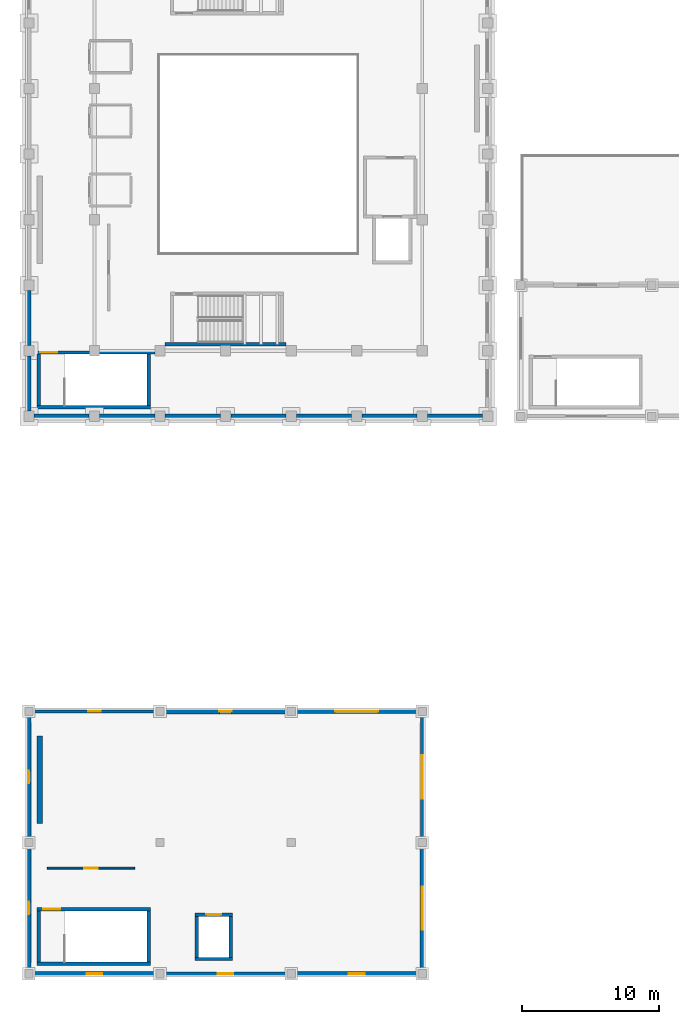
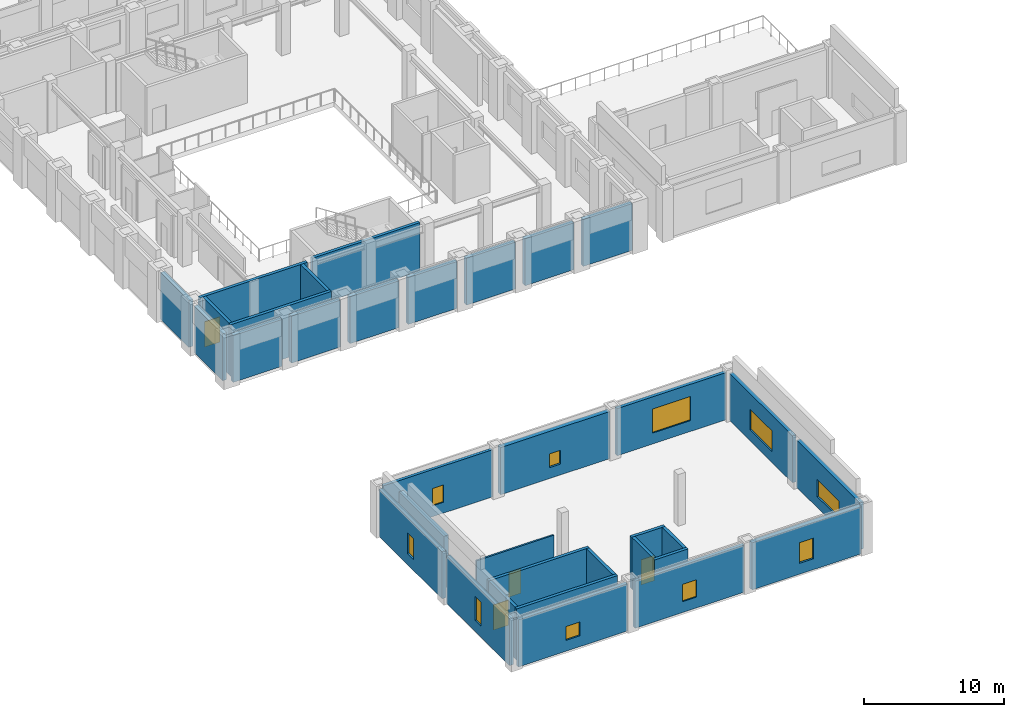
# One storey, part 26 of 46: 34 walls, 10 windows, 4 doors, 14 openings.
"""IFC4 building model written with IfcOpenShell, lengths in metres."""

from ifc_helpers import new_model, si_unit, direction, frame, frame_2d, origin, place, context, subcontext, project, spatial, rectangle, extrude, material, layer, layer_set, type_object, element, fill, save


model = new_model("IFC4")

# Units and contexts
model_context = context("Model", 3, precision=1e-05, world=origin(), true_north=direction((0.0, 1.0)))
body_context = subcontext(model_context, "Body", "Model", "MODEL_VIEW")
ifc_project = project(units=[si_unit("LENGTHUNIT", "METRE"), si_unit("AREAUNIT", "SQUARE_METRE"), si_unit("VOLUMEUNIT", "CUBIC_METRE"), si_unit("PLANEANGLEUNIT", "RADIAN"), si_unit("MASSUNIT", "GRAM", prefix="KILO")], contexts=[model_context])

# Site, building, storey
site_placement = place(None, origin())
site = spatial("IfcSite", under=ifc_project, at=site_placement, CompositionType="ELEMENT")
building_placement = place(site_placement, origin())
building = spatial("IfcBuilding", under=site, at=building_placement, Name="Mavantir Sound Aquarium", CompositionType="ELEMENT")
storey_placement = place(building_placement, frame((0.0, 0.0, 15.300048828125)))
storey = spatial("IfcBuildingStorey", under=building, at=storey_placement, Name="L03", CompositionType="ELEMENT", Elevation=15.300048828125)

# Wall, opening, window
ifc_material_1 = material(Name="Coral-Buff Architectural Precast Concrete C40/50", Category="concrete")
ifc_layer_1 = layer(ifc_material_1, 0.31005859375, Name="Coral-Buff Architectural Precast Concrete C40/50")
ifc_layer_set_1 = layer_set([ifc_layer_1], Name="Coral-Buff Architectural Precast Concrete C40/50")
wall_type_1 = type_object("IfcWallType", Name="EW-CORAL-310", PredefinedType="SOLIDWALL", material=ifc_layer_set_1)
wall_1_placement = place(storey_placement, frame((28.800048828125, 0.30810546875, 0.0), z_axis=(0.0, 0.0, 1.0), x_axis=(0.0, 1.0, 0.0)))
wall_1 = element("IfcWall", 1, at=wall_1_placement, inside=storey, type_object=wall_type_1, Name="L03 exterior facade wall EW-02 338", PredefinedType="SOLIDWALL", context=body_context, shape_type="SweptSolid", body=[
    extrude(rectangle(XDim=8.98388671875, YDim=0.31005859375, at=frame_2d((4.491943359375, 0.0))), origin(), (0.0, 0.0, 1.0), 4.1025390625),
])
opening_1_placement = place(wall_1_placement, frame((2.9169921875, 0.0, 0.949951171875)))
opening_1 = element("IfcOpeningElement", 2, at=opening_1_placement, cuts=wall_1, Name="Opening W-46", PredefinedType="OPENING", context=body_context, shape_type="SweptSolid", body=[
    extrude(rectangle(XDim=3.14990234375, YDim=1.5, at=frame_2d((1.574951171875, 0.75))), frame((0.0, 0.1650390625, 0.0), z_axis=(0.0, -1.0, 0.0), x_axis=(1.0, 0.0, 0.0)), (0.0, 0.0, 1.0), 0.330078125),
])
ifc_material_2 = material(Name="Thermally Broken Aluminium and Low-E Glass", Category="aluminium")
window_type_1 = type_object("IfcWindowType", Name="WIN-EXT-46", PartitioningType="TRIPLE_PANEL_VERTICAL", PredefinedType="WINDOW", material=ifc_material_2)
window_1_placement = place(opening_1_placement, origin())
window_1 = element("IfcWindow", 3, at=window_1_placement, inside=storey, type_object=window_type_1, Name="L03 facade window W-46 142", OverallHeight=1.5, OverallWidth=3.14990234375, PartitioningType="SINGLE_PANEL", PredefinedType="WINDOW", context=body_context, shape_type="SweptSolid", body=[
    extrude(rectangle(XDim=3.14990234375, YDim=1.5, at=frame_2d((1.574951171875, 0.75))), frame((0.0, 0.030029296875, 0.0), z_axis=(0.0, -1.0, 0.0), x_axis=(1.0, 0.0, 0.0)), (0.0, 0.0, 1.0), 0.06005859375),
])
fill(opening_1, window_1)

wall_2_placement = place(storey_placement, frame((0.0, 9.2919921875, 0.0), z_axis=(0.0, 0.0, 1.0), x_axis=(0.0, -1.0, 0.0)))
wall_2 = element("IfcWall", 4, at=wall_2_placement, inside=storey, type_object=wall_type_1, Name="L03 exterior facade wall EW-02 344", PredefinedType="SOLIDWALL", context=body_context, shape_type="SweptSolid", body=[
    extrude(rectangle(XDim=8.98388671875, YDim=0.31005859375, at=frame_2d((4.491943359375, 0.0))), origin(), (0.0, 0.0, 1.0), 4.1025390625),
])
opening_2_placement = place(wall_2_placement, frame((4.0419921875, 0.0, 0.949951171875)))
opening_2 = element("IfcOpeningElement", 5, at=opening_2_placement, cuts=wall_2, Name="Opening W-04", PredefinedType="OPENING", context=body_context, shape_type="SweptSolid", body=[
    extrude(rectangle(XDim=0.89990234375, YDim=2.10009765625, at=frame_2d((0.449951171875, 1.050048828125))), frame((0.0, 0.1650390625, 0.0), z_axis=(0.0, -1.0, 0.0), x_axis=(1.0, 0.0, 0.0)), (0.0, 0.0, 1.0), 0.330078125),
])
window_type_2 = type_object("IfcWindowType", Name="WIN-EXT-04", PartitioningType="SINGLE_PANEL", PredefinedType="WINDOW", material=ifc_material_2)
window_2_placement = place(opening_2_placement, origin())
window_2 = element("IfcWindow", 6, at=window_2_placement, inside=storey, type_object=window_type_2, Name="L03 facade window W-04 148", OverallHeight=2.10009765625, OverallWidth=0.89990234375, PartitioningType="SINGLE_PANEL", PredefinedType="WINDOW", context=body_context, shape_type="SweptSolid", body=[
    extrude(rectangle(XDim=0.89990234375, YDim=2.10009765625, at=frame_2d((0.449951171875, 1.050048828125))), frame((0.0, 0.030029296875, 0.0), z_axis=(0.0, -1.0, 0.0), x_axis=(1.0, 0.0, 0.0)), (0.0, 0.0, 1.0), 0.06005859375),
])
fill(opening_2, window_2)

# Walls
ifc_layer_2 = layer(ifc_material_1, 0.340087890625, Name="Coral-Buff Architectural Precast Concrete C40/50")
ifc_layer_set_2 = layer_set([ifc_layer_2], Name="Coral-Buff Architectural Precast Concrete C40/50")
wall_type_2 = type_object("IfcWallType", Name="EW-CORAL-340", PredefinedType="SOLIDWALL", material=ifc_layer_set_2)
wall_3_placement = place(storey_placement, frame((0.0, 50.01708984375, 0.0), z_axis=(0.0, 0.0, 1.0), x_axis=(0.0, -1.0, 0.0)))
element("IfcWall", 7, at=wall_3_placement, inside=storey, type_object=wall_type_2, Name="L03 exterior facade wall EW-01 322", PredefinedType="SOLIDWALL", context=body_context, shape_type="SweptSolid", body=[
    extrude(rectangle(XDim=4.0341796875, YDim=0.340087890625, at=frame_2d((2.01708984375, 0.0))), origin(), (0.0, 0.0, 1.0), 4.074951171875),
])
for number, where, z_axis, x_axis, name in (
    (8, (0.0, 45.217041015625, 0.0), (0.0, 0.0, 1.0), (0.0, -1.0, 0.0), "L03 exterior facade wall EW-01 323"),
    (9, (0.383056640625, 40.800048828125, 0.0), (0.0, 0.0, 1.0), (1.0, 0.0, 0.0), "L03 exterior facade wall EW-01 324"),
    (10, (5.18310546875, 40.800048828125, 0.0), (0.0, 0.0, 1.0), (1.0, 0.0, 0.0), "L03 exterior facade wall EW-01 325"),
):
    element("IfcWall", number, at=place(storey_placement, frame(where, z_axis=z_axis, x_axis=x_axis)), inside=storey, type_object=wall_type_2, Name=name, PredefinedType="SOLIDWALL", context=body_context, shape_type="SweptSolid", body=[
        extrude(rectangle(XDim=4.033935546875, YDim=0.340087890625, at=frame_2d((2.01708984375, 0.0))), origin(), (0.0, 0.0, 1.0), 4.074951171875),
    ])
wall_4_placement = place(storey_placement, frame((9.98291015625, 40.800048828125, 0.0), z_axis=(0.0, 0.0, 1.0), x_axis=(1.0, 0.0, 0.0)))
element("IfcWall", 11, at=wall_4_placement, inside=storey, type_object=wall_type_2, Name="L03 exterior facade wall EW-01 326", PredefinedType="SOLIDWALL", context=body_context, shape_type="SweptSolid", body=[
    extrude(rectangle(XDim=4.0341796875, YDim=0.340087890625, at=frame_2d((2.01708984375, 0.0))), origin(), (0.0, 0.0, 1.0), 4.074951171875),
])
for number, where, z_axis, x_axis, name in (
    (12, (14.782958984375, 40.800048828125, 0.0), (0.0, 0.0, 1.0), (1.0, 0.0, 0.0), "L03 exterior facade wall EW-01 327"),
    (13, (19.5830078125, 40.800048828125, 0.0), (0.0, 0.0, 1.0), (1.0, 0.0, 0.0), "L03 exterior facade wall EW-01 328"),
    (14, (24.383056640625, 40.800048828125, 0.0), (0.0, 0.0, 1.0), (1.0, 0.0, 0.0), "L03 exterior facade wall EW-01 329"),
    (15, (29.18310546875, 40.800048828125, 0.0), (0.0, 0.0, 1.0), (1.0, 0.0, 0.0), "L03 exterior facade wall EW-01 330"),
):
    element("IfcWall", number, at=place(storey_placement, frame(where, z_axis=z_axis, x_axis=x_axis)), inside=storey, type_object=wall_type_2, Name=name, PredefinedType="SOLIDWALL", context=body_context, shape_type="SweptSolid", body=[
        extrude(rectangle(XDim=4.033935546875, YDim=0.340087890625, at=frame_2d((2.01708984375, 0.0))), origin(), (0.0, 0.0, 1.0), 4.074951171875),
    ])

# Wall, opening, window
wall_5_placement = place(storey_placement, frame((0.0, 18.89208984375, 0.0), z_axis=(0.0, 0.0, 1.0), x_axis=(0.0, -1.0, 0.0)))
wall_5 = element("IfcWall", 16, at=wall_5_placement, inside=storey, type_object=wall_type_2, Name="L03 exterior facade wall EW-01 343", PredefinedType="SOLIDWALL", context=body_context, shape_type="SweptSolid", body=[
    extrude(rectangle(XDim=8.984130859375, YDim=0.340087890625, at=frame_2d((4.4921875, 0.0))), origin(), (0.0, 0.0, 1.0), 4.1025390625),
])
opening_3_placement = place(wall_5_placement, frame((4.0419921875, 0.0, 0.949951171875)))
opening_3 = element("IfcOpeningElement", 17, at=opening_3_placement, cuts=wall_5, Name="Opening W-03", PredefinedType="OPENING", context=body_context, shape_type="SweptSolid", body=[
    extrude(rectangle(XDim=0.89990234375, YDim=1.800048828125, at=frame_2d((0.449951171875, 0.89990234375))), frame((0.0, 0.18017578125, 0.0), z_axis=(0.0, -1.0, 0.0), x_axis=(1.0, 0.0, 0.0)), (0.0, 0.0, 1.0), 0.360107421875),
])
window_type_3 = type_object("IfcWindowType", Name="WIN-EXT-03", PartitioningType="SINGLE_PANEL", PredefinedType="WINDOW", material=ifc_material_2)
window_3_placement = place(opening_3_placement, origin())
window_3 = element("IfcWindow", 18, at=window_3_placement, inside=storey, type_object=window_type_3, Name="L03 facade window W-03 147", OverallHeight=1.800048828125, OverallWidth=0.89990234375, PartitioningType="SINGLE_PANEL", PredefinedType="WINDOW", context=body_context, shape_type="SweptSolid", body=[
    extrude(rectangle(XDim=0.89990234375, YDim=1.800048828125, at=frame_2d((0.449951171875, 0.89990234375))), frame((0.0, 0.030029296875, 0.0), z_axis=(0.0, -1.0, 0.0), x_axis=(1.0, 0.0, 0.0)), (0.0, 0.0, 1.0), 0.06005859375),
])
fill(opening_3, window_3)

ifc_material_3 = material(Name="Architectural Precast Concrete C40/50", Category="concrete")
ifc_layer_3 = layer(ifc_material_3, 0.239990234375, Name="Architectural Precast Concrete C40/50")
ifc_layer_set_3 = layer_set([ifc_layer_3], Name="Architectural Precast Concrete C40/50")
wall_type_3 = type_object("IfcWallType", Name="EW-PRE-240", PredefinedType="SOLIDWALL", material=ifc_layer_set_3)
wall_6_placement = place(storey_placement, frame((9.2919921875, 19.199951171875, 0.0), z_axis=(0.0, 0.0, 1.0), x_axis=(-1.0, 0.0, 0.0)))
wall_6 = element("IfcWall", 19, at=wall_6_placement, inside=storey, type_object=wall_type_3, Name="L03 exterior facade wall EW-06 342", PredefinedType="SOLIDWALL", context=body_context, shape_type="SweptSolid", body=[
    extrude(rectangle(XDim=8.98388671875, YDim=0.239990234375, at=frame_2d((4.491943359375, 0.0))), origin(), (0.0, 0.0, 1.0), 4.1025390625),
])
opening_4_placement = place(wall_6_placement, frame((4.0419921875, 0.0, 0.949951171875)))
opening_4 = element("IfcOpeningElement", 20, at=opening_4_placement, cuts=wall_6, Name="Opening W-02", PredefinedType="OPENING", context=body_context, shape_type="SweptSolid", body=[
    extrude(rectangle(XDim=0.89990234375, YDim=1.5, at=frame_2d((0.449951171875, 0.75))), frame((0.0, 0.1298828125, 0.0), z_axis=(0.0, -1.0, 0.0), x_axis=(1.0, 0.0, 0.0)), (0.0, 0.0, 1.0), 0.260009765625),
])
window_type_4 = type_object("IfcWindowType", Name="WIN-EXT-02", PartitioningType="SINGLE_PANEL", PredefinedType="WINDOW", material=ifc_material_2)
window_4_placement = place(opening_4_placement, origin())
window_4 = element("IfcWindow", 21, at=window_4_placement, inside=storey, type_object=window_type_4, Name="L03 facade window W-02 146", OverallHeight=1.5, OverallWidth=0.89990234375, PartitioningType="SINGLE_PANEL", PredefinedType="WINDOW", context=body_context, shape_type="SweptSolid", body=[
    extrude(rectangle(XDim=0.89990234375, YDim=1.5, at=frame_2d((0.449951171875, 0.75))), frame((0.0, 0.030029296875, 0.0), z_axis=(0.0, -1.0, 0.0), x_axis=(1.0, 0.0, 0.0)), (0.0, 0.0, 1.0), 0.06005859375),
])
fill(opening_4, window_4)

ifc_layer_4 = layer(ifc_material_1, 0.360107421875, Name="Coral-Buff Architectural Precast Concrete C40/50")
ifc_layer_set_4 = layer_set([ifc_layer_4], Name="Coral-Buff Architectural Precast Concrete C40/50")
wall_type_4 = type_object("IfcWallType", Name="EW-PRE-360", PredefinedType="SOLIDWALL", material=ifc_layer_set_4)
wall_7_placement = place(storey_placement, frame((18.89208984375, 19.199951171875, 0.0), z_axis=(0.0, 0.0, 1.0), x_axis=(-1.0, 0.0, 0.0)))
wall_7 = element("IfcWall", 22, at=wall_7_placement, inside=storey, type_object=wall_type_4, Name="L03 exterior facade wall EW-05 341", PredefinedType="SOLIDWALL", context=body_context, shape_type="SweptSolid", body=[
    extrude(rectangle(XDim=8.984130859375, YDim=0.360107421875, at=frame_2d((4.4921875, 0.0))), origin(), (0.0, 0.0, 1.0), 4.1025390625),
])
opening_5_placement = place(wall_7_placement, frame((4.0419921875, 0.0, 0.949951171875)))
opening_5 = element("IfcOpeningElement", 23, at=opening_5_placement, cuts=wall_7, Name="Opening W-01", PredefinedType="OPENING", context=body_context, shape_type="SweptSolid", body=[
    extrude(rectangle(XDim=0.89990234375, YDim=1.199951171875, at=frame_2d((0.449951171875, 0.60009765625))), frame((0.0, 0.18994140625, 0.0), z_axis=(0.0, -1.0, 0.0), x_axis=(1.0, 0.0, 0.0)), (0.0, 0.0, 1.0), 0.380126953125),
])
window_type_5 = type_object("IfcWindowType", Name="WIN-EXT-01", PartitioningType="SINGLE_PANEL", PredefinedType="WINDOW", material=ifc_material_2)
window_5_placement = place(opening_5_placement, origin())
window_5 = element("IfcWindow", 24, at=window_5_placement, inside=storey, type_object=window_type_5, Name="L03 facade window W-01 145", OverallHeight=1.199951171875, OverallWidth=0.89990234375, PartitioningType="SINGLE_PANEL", PredefinedType="WINDOW", context=body_context, shape_type="SweptSolid", body=[
    extrude(rectangle(XDim=0.89990234375, YDim=1.199951171875, at=frame_2d((0.449951171875, 0.60009765625))), frame((0.0, 0.030029296875, 0.0), z_axis=(0.0, -1.0, 0.0), x_axis=(1.0, 0.0, 0.0)), (0.0, 0.0, 1.0), 0.06005859375),
])
fill(opening_5, window_5)

wall_8_placement = place(storey_placement, frame((19.508056640625, 0.0, 0.0), z_axis=(0.0, 0.0, 1.0), x_axis=(1.0, 0.0, 0.0)))
wall_8 = element("IfcWall", 25, at=wall_8_placement, inside=storey, type_object=wall_type_4, Name="L03 exterior facade wall EW-05 347", PredefinedType="SOLIDWALL", context=body_context, shape_type="SweptSolid", body=[
    extrude(rectangle(XDim=8.98388671875, YDim=0.360107421875, at=frame_2d((4.491943359375, 0.0))), origin(), (0.0, 0.0, 1.0), 4.1025390625),
])
opening_6_placement = place(wall_8_placement, frame((3.9169921875, 0.0, 0.949951171875)))
opening_6 = element("IfcOpeningElement", 26, at=opening_6_placement, cuts=wall_8, Name="Opening W-07", PredefinedType="OPENING", context=body_context, shape_type="SweptSolid", body=[
    extrude(rectangle(XDim=1.14990234375, YDim=1.800048828125, at=frame_2d((0.574951171875, 0.89990234375))), frame((0.0, 0.18994140625, 0.0), z_axis=(0.0, -1.0, 0.0), x_axis=(1.0, 0.0, 0.0)), (0.0, 0.0, 1.0), 0.380126953125),
])
window_type_6 = type_object("IfcWindowType", Name="WIN-EXT-07", PartitioningType="SINGLE_PANEL", PredefinedType="WINDOW", material=ifc_material_2)
window_6_placement = place(opening_6_placement, origin())
window_6 = element("IfcWindow", 27, at=window_6_placement, inside=storey, type_object=window_type_6, Name="L03 facade window W-07 151", OverallHeight=1.800048828125, OverallWidth=1.14990234375, PartitioningType="SINGLE_PANEL", PredefinedType="WINDOW", context=body_context, shape_type="SweptSolid", body=[
    extrude(rectangle(XDim=1.14990234375, YDim=1.800048828125, at=frame_2d((0.574951171875, 0.89990234375))), frame((0.0, 0.030029296875, 0.0), z_axis=(0.0, -1.0, 0.0), x_axis=(1.0, 0.0, 0.0)), (0.0, 0.0, 1.0), 0.06005859375),
])
fill(opening_6, window_6)

ifc_material_4 = material(Name="Cerulean Glazed Terracotta Rainscreen on Concrete C40/50", Category="masonry")
ifc_layer_5 = layer(ifc_material_4, 0.27001953125, Name="Cerulean Glazed Terracotta Rainscreen on Concrete C40/50")
ifc_layer_set_5 = layer_set([ifc_layer_5], Name="Cerulean Glazed Terracotta Rainscreen on Concrete C40/50")
wall_type_5 = type_object("IfcWallType", Name="EW-TERRA-270", PredefinedType="SOLIDWALL", material=ifc_layer_set_5)
wall_9_placement = place(storey_placement, frame((28.491943359375, 19.199951171875, 0.0), z_axis=(0.0, 0.0, 1.0), x_axis=(-1.0, 0.0, 0.0)))
wall_9 = element("IfcWall", 28, at=wall_9_placement, inside=storey, type_object=wall_type_5, Name="L03 exterior facade wall EW-04 340", PredefinedType="SOLIDWALL", context=body_context, shape_type="SweptSolid", body=[
    extrude(rectangle(XDim=8.98388671875, YDim=0.27001953125, at=frame_2d((4.491943359375, 0.0))), origin(), (0.0, 0.0, 1.0), 4.1025390625),
])
opening_7_placement = place(wall_9_placement, frame((2.9169921875, 0.0, 0.949951171875)))
opening_7 = element("IfcOpeningElement", 29, at=opening_7_placement, cuts=wall_9, Name="Opening W-48", PredefinedType="OPENING", context=body_context, shape_type="SweptSolid", body=[
    extrude(rectangle(XDim=3.14990234375, YDim=2.10009765625, at=frame_2d((1.574951171875, 1.050048828125))), frame((0.0, 0.14501953125, 0.0), z_axis=(0.0, -1.0, 0.0), x_axis=(1.0, 0.0, 0.0)), (0.0, 0.0, 1.0), 0.2900390625),
])
window_type_7 = type_object("IfcWindowType", Name="WIN-EXT-48", PartitioningType="TRIPLE_PANEL_VERTICAL", PredefinedType="WINDOW", material=ifc_material_2)
window_7_placement = place(opening_7_placement, origin())
window_7 = element("IfcWindow", 30, at=window_7_placement, inside=storey, type_object=window_type_7, Name="L03 facade window W-48 144", OverallHeight=2.10009765625, OverallWidth=3.14990234375, PartitioningType="SINGLE_PANEL", PredefinedType="WINDOW", context=body_context, shape_type="SweptSolid", body=[
    extrude(rectangle(XDim=3.14990234375, YDim=2.10009765625, at=frame_2d((1.574951171875, 1.050048828125))), frame((0.0, 0.030029296875, 0.0), z_axis=(0.0, -1.0, 0.0), x_axis=(1.0, 0.0, 0.0)), (0.0, 0.0, 1.0), 0.06005859375),
])
fill(opening_7, window_7)

wall_10_placement = place(storey_placement, frame((9.907958984375, 0.0, 0.0), z_axis=(0.0, 0.0, 1.0), x_axis=(1.0, 0.0, 0.0)))
wall_10 = element("IfcWall", 31, at=wall_10_placement, inside=storey, type_object=wall_type_5, Name="L03 exterior facade wall EW-04 346", PredefinedType="SOLIDWALL", context=body_context, shape_type="SweptSolid", body=[
    extrude(rectangle(XDim=8.984130859375, YDim=0.27001953125, at=frame_2d((4.4921875, 0.0))), origin(), (0.0, 0.0, 1.0), 4.1025390625),
])
opening_8_placement = place(wall_10_placement, frame((3.9169921875, 0.0, 0.949951171875)))
opening_8 = element("IfcOpeningElement", 32, at=opening_8_placement, cuts=wall_10, Name="Opening W-06", PredefinedType="OPENING", context=body_context, shape_type="SweptSolid", body=[
    extrude(rectangle(XDim=1.14990234375, YDim=1.5, at=frame_2d((0.574951171875, 0.75))), frame((0.0, 0.14501953125, 0.0), z_axis=(0.0, -1.0, 0.0), x_axis=(1.0, 0.0, 0.0)), (0.0, 0.0, 1.0), 0.2900390625),
])
window_type_8 = type_object("IfcWindowType", Name="WIN-EXT-06", PartitioningType="SINGLE_PANEL", PredefinedType="WINDOW", material=ifc_material_2)
window_8_placement = place(opening_8_placement, origin())
window_8 = element("IfcWindow", 33, at=window_8_placement, inside=storey, type_object=window_type_8, Name="L03 facade window W-06 150", OverallHeight=1.5, OverallWidth=1.14990234375, PartitioningType="SINGLE_PANEL", PredefinedType="WINDOW", context=body_context, shape_type="SweptSolid", body=[
    extrude(rectangle(XDim=1.14990234375, YDim=1.5, at=frame_2d((0.574951171875, 0.75))), frame((0.0, 0.030029296875, 0.0), z_axis=(0.0, -1.0, 0.0), x_axis=(1.0, 0.0, 0.0)), (0.0, 0.0, 1.0), 0.06005859375),
])
fill(opening_8, window_8)

ifc_material_5 = material(Name="Turquoise Glazed Terracotta Rainscreen on Concrete C40/50", Category="masonry")
ifc_layer_6 = layer(ifc_material_5, 0.2900390625, Name="Turquoise Glazed Terracotta Rainscreen on Concrete C40/50")
ifc_layer_set_6 = layer_set([ifc_layer_6], Name="Turquoise Glazed Terracotta Rainscreen on Concrete C40/50")
wall_type_6 = type_object("IfcWallType", Name="EW-TERRA-290", PredefinedType="SOLIDWALL", material=ifc_layer_set_6)
wall_11_placement = place(storey_placement, frame((28.800048828125, 9.907958984375, 0.0), z_axis=(0.0, 0.0, 1.0), x_axis=(0.0, 1.0, 0.0)))
wall_11 = element("IfcWall", 34, at=wall_11_placement, inside=storey, type_object=wall_type_6, Name="L03 exterior facade wall EW-03 339", PredefinedType="SOLIDWALL", context=body_context, shape_type="SweptSolid", body=[
    extrude(rectangle(XDim=8.984130859375, YDim=0.2900390625, at=frame_2d((4.4921875, 0.0))), origin(), (0.0, 0.0, 1.0), 4.1025390625),
])
opening_9_placement = place(wall_11_placement, frame((2.9169921875, 0.0, 0.949951171875)))
opening_9 = element("IfcOpeningElement", 35, at=opening_9_placement, cuts=wall_11, Name="Opening W-47", PredefinedType="OPENING", context=body_context, shape_type="SweptSolid", body=[
    extrude(rectangle(XDim=3.14990234375, YDim=1.800048828125, at=frame_2d((1.574951171875, 0.89990234375))), frame((0.0, 0.155029296875, 0.0), z_axis=(0.0, -1.0, 0.0), x_axis=(1.0, 0.0, 0.0)), (0.0, 0.0, 1.0), 0.31005859375),
])
window_type_9 = type_object("IfcWindowType", Name="WIN-EXT-47", PartitioningType="TRIPLE_PANEL_VERTICAL", PredefinedType="WINDOW", material=ifc_material_2)
window_9_placement = place(opening_9_placement, origin())
window_9 = element("IfcWindow", 36, at=window_9_placement, inside=storey, type_object=window_type_9, Name="L03 facade window W-47 143", OverallHeight=1.800048828125, OverallWidth=3.14990234375, PartitioningType="SINGLE_PANEL", PredefinedType="WINDOW", context=body_context, shape_type="SweptSolid", body=[
    extrude(rectangle(XDim=3.14990234375, YDim=1.800048828125, at=frame_2d((1.574951171875, 0.89990234375))), frame((0.0, 0.030029296875, 0.0), z_axis=(0.0, -1.0, 0.0), x_axis=(1.0, 0.0, 0.0)), (0.0, 0.0, 1.0), 0.06005859375),
])
fill(opening_9, window_9)

wall_12_placement = place(storey_placement, frame((0.30810546875, 0.0, 0.0), z_axis=(0.0, 0.0, 1.0), x_axis=(1.0, 0.0, 0.0)))
wall_12 = element("IfcWall", 37, at=wall_12_placement, inside=storey, type_object=wall_type_6, Name="L03 exterior facade wall EW-03 345", PredefinedType="SOLIDWALL", context=body_context, shape_type="SweptSolid", body=[
    extrude(rectangle(XDim=8.98388671875, YDim=0.2900390625, at=frame_2d((4.491943359375, 0.0))), origin(), (0.0, 0.0, 1.0), 4.1025390625),
])
opening_10_placement = place(wall_12_placement, frame((3.9169921875, 0.0, 0.949951171875)))
opening_10 = element("IfcOpeningElement", 38, at=opening_10_placement, cuts=wall_12, Name="Opening W-05", PredefinedType="OPENING", context=body_context, shape_type="SweptSolid", body=[
    extrude(rectangle(XDim=1.14990234375, YDim=1.199951171875, at=frame_2d((0.574951171875, 0.60009765625))), frame((0.0, 0.155029296875, 0.0), z_axis=(0.0, -1.0, 0.0), x_axis=(1.0, 0.0, 0.0)), (0.0, 0.0, 1.0), 0.31005859375),
])
window_type_10 = type_object("IfcWindowType", Name="WIN-EXT-05", PartitioningType="SINGLE_PANEL", PredefinedType="WINDOW", material=ifc_material_2)
window_10_placement = place(opening_10_placement, origin())
window_10 = element("IfcWindow", 39, at=window_10_placement, inside=storey, type_object=window_type_10, Name="L03 facade window W-05 149", OverallHeight=1.199951171875, OverallWidth=1.14990234375, PartitioningType="SINGLE_PANEL", PredefinedType="WINDOW", context=body_context, shape_type="SweptSolid", body=[
    extrude(rectangle(XDim=1.14990234375, YDim=1.199951171875, at=frame_2d((0.574951171875, 0.60009765625))), frame((0.0, 0.030029296875, 0.0), z_axis=(0.0, -1.0, 0.0), x_axis=(1.0, 0.0, 0.0)), (0.0, 0.0, 1.0), 0.06005859375),
])
fill(opening_10, window_10)

# Wall, opening, door
ifc_material_6 = material(Name="Moisture-Resistant Marine Gypsum Partition", Category="gypsum")
ifc_layer_7 = layer(ifc_material_6, 0.139892578125, Name="Moisture-Resistant Marine Gypsum Partition")
ifc_layer_set_7 = layer_set([ifc_layer_7], Name="Moisture-Resistant Marine Gypsum Partition")
wall_type_7 = type_object("IfcWallType", Name="IW-PART-140", PredefinedType="PARTITIONING", material=ifc_layer_set_7)
wall_13_placement = place(storey_placement, frame((1.35009765625, 7.72509765625, 0.0), z_axis=(0.0, 0.0, 1.0), x_axis=(1.0, 0.0, 0.0)))
wall_13 = element("IfcWall", 40, at=wall_13_placement, inside=storey, type_object=wall_type_7, Name="L03 Education Marine Conservation Seminar and Media Studio entry partition", PredefinedType="PARTITIONING", context=body_context, shape_type="SweptSolid", body=[
    extrude(rectangle(XDim=6.39990234375, YDim=0.139892578125, at=frame_2d((3.199951171875, 0.0))), origin(), (0.0, 0.0, 1.0), 4.139892578125),
])
opening_11_placement = place(wall_13_placement, frame((2.7099609375, 0.0, 0.0)))
opening_11 = element("IfcOpeningElement", 41, at=opening_11_placement, cuts=wall_13, Name="Opening ID-03", PredefinedType="OPENING", context=body_context, shape_type="SweptSolid", body=[
    extrude(rectangle(XDim=0.97998046875, YDim=2.14990234375, at=frame_2d((0.489990234375, 1.074951171875))), frame((0.0, 0.080078125, 0.0), z_axis=(0.0, -1.0, 0.0), x_axis=(1.0, 0.0, 0.0)), (0.0, 0.0, 1.0), 0.159912109375),
])
ifc_material_7 = material(Name="Solid-Core Marine Hardwood and Vision-Panel Door", Category="wood")
door_type_1 = type_object("IfcDoorType", Name="DR-INT-03", OperationType="NOTDEFINED", PredefinedType="DOOR", material=ifc_material_7)
door_1_placement = place(opening_11_placement, origin())
door_1 = element("IfcDoor", 42, at=door_1_placement, inside=storey, type_object=door_type_1, Name="Education Marine Conservation Seminar and Media Studio door", OperationType="SINGLE_SWING_RIGHT", OverallHeight=2.14990234375, OverallWidth=0.97998046875, PredefinedType="DOOR", context=body_context, shape_type="SweptSolid", body=[
    extrude(rectangle(XDim=0.97998046875, YDim=2.14990234375, at=frame_2d((0.489990234375, 1.074951171875))), frame((0.0, 0.02490234375, 0.0), z_axis=(0.0, -1.0, 0.0), x_axis=(1.0, 0.0, 0.0)), (0.0, 0.0, 1.0), 0.050048828125),
])
fill(opening_11, door_1)

# Wall
ifc_material_8 = material(Name="Concrete C40/50", Category="concrete")
ifc_layer_8 = layer(ifc_material_8, 0.25, Name="Concrete C40/50")
ifc_layer_set_8 = layer_set([ifc_layer_8], Name="Concrete C40/50")
wall_type_8 = type_object("IfcWallType", Name="IW-SHAFT-250", PredefinedType="SHEAR", material=ifc_layer_set_8)
wall_14_placement = place(storey_placement, frame((0.60009765625, 41.47509765625, 0.0), z_axis=(0.0, 0.0, 1.0), x_axis=(1.0, 0.0, 0.0)))
element("IfcWall", 43, at=wall_14_placement, inside=storey, type_object=wall_type_8, Name="L03 stair ST1 shaft wall S", PredefinedType="SHEAR", context=body_context, shape_type="SweptSolid", body=[
    extrude(rectangle(XDim=8.2998046875, YDim=0.25, at=frame_2d((4.14990234375, 0.0))), origin(), (0.0, 0.0, 1.0), 4.5),
])

# Wall, opening, door
wall_15_placement = place(storey_placement, frame((9.22509765625, 45.47509765625, 0.0), z_axis=(0.0, 0.0, 1.0), x_axis=(-1.0, 0.0, 0.0)))
wall_15 = element("IfcWall", 44, at=wall_15_placement, inside=storey, type_object=wall_type_8, Name="L03 stair ST1 shaft wall N", PredefinedType="SHEAR", context=body_context, shape_type="SweptSolid", body=[
    extrude(rectangle(XDim=8.85009765625, YDim=0.25, at=frame_2d((4.425048828125, 0.0))), origin(), (0.0, 0.0, 1.0), 4.5),
])
opening_12_placement = place(wall_15_placement, frame((8.39990234375, 0.0, 0.0), z_axis=(0.0, 0.0, 1.0), x_axis=(-1.0, 0.0, 0.0)))
opening_12 = element("IfcOpeningElement", 45, at=opening_12_placement, cuts=wall_15, Name="Opening SD-01", PredefinedType="OPENING", context=body_context, shape_type="SweptSolid", body=[
    extrude(rectangle(XDim=1.25, YDim=2.199951171875, at=frame_2d((0.625, 1.10009765625))), frame((0.0, 0.135009765625, 0.0), z_axis=(0.0, -1.0, 0.0), x_axis=(1.0, 0.0, 0.0)), (0.0, 0.0, 1.0), 0.27001953125),
])
ifc_material_9 = material(Name="Fire-Rated Steel Acoustic Door Leaf", Category="steel")
door_type_2 = type_object("IfcDoorType", Name="DR-ST-125", OperationType="NOTDEFINED", PredefinedType="DOOR", material=ifc_material_9)
door_2_placement = place(opening_12_placement, origin())
door_2 = element("IfcDoor", 46, at=door_2_placement, inside=storey, type_object=door_type_2, Name="L03 protected exit stair ST1 door", OperationType="SINGLE_SWING_RIGHT", OverallHeight=2.199951171875, OverallWidth=1.25, PredefinedType="DOOR", context=body_context, shape_type="SweptSolid", body=[
    extrude(rectangle(XDim=1.25, YDim=2.199951171875, at=frame_2d((0.625, 1.10009765625))), frame((0.0, 0.02490234375, 0.0), z_axis=(0.0, -1.0, 0.0), x_axis=(1.0, 0.0, 0.0)), (0.0, 0.0, 1.0), 0.050048828125),
])
fill(opening_12, door_2)

# Walls
for number, where, z_axis, x_axis, name in (
    (47, (0.72509765625, 45.35009765625, 0.0), (0.0, 0.0, 1.0), (0.0, -1.0, 0.0), "L03 stair ST1 shaft wall W"),
    (48, (8.77490234375, 41.60009765625, 0.0), (0.0, 0.0, 1.0), (0.0, 1.0, 0.0), "L03 stair ST1 shaft wall E"),
):
    element("IfcWall", number, at=place(storey_placement, frame(where, z_axis=z_axis, x_axis=x_axis)), inside=storey, type_object=wall_type_8, Name=name, PredefinedType="SHEAR", context=body_context, shape_type="SweptSolid", body=[
        extrude(rectangle(XDim=3.75, YDim=0.25, at=frame_2d((1.875, 0.0))), origin(), (0.0, 0.0, 1.0), 4.5),
    ])
wall_16_placement = place(storey_placement, frame((9.97509765625, 46.074951171875, 0.0), z_axis=(0.0, 0.0, 1.0), x_axis=(1.0, 0.0, 0.0)))
element("IfcWall", 49, at=wall_16_placement, inside=storey, type_object=wall_type_8, Name="L03 stair ST9 shaft wall S", PredefinedType="SHEAR", context=body_context, shape_type="SweptSolid", body=[
    extrude(rectangle(XDim=8.849853515625, YDim=0.25, at=frame_2d((4.4248046875, 0.0))), origin(), (0.0, 0.0, 1.0), 4.219970703125),
])
wall_17_placement = place(storey_placement, frame((0.60009765625, 0.72509765625, 0.0), z_axis=(0.0, 0.0, 1.0), x_axis=(1.0, 0.0, 0.0)))
element("IfcWall", 50, at=wall_17_placement, inside=storey, type_object=wall_type_8, Name="L03 stair ST3 shaft wall S", PredefinedType="SHEAR", context=body_context, shape_type="SweptSolid", body=[
    extrude(rectangle(XDim=8.2998046875, YDim=0.25, at=frame_2d((4.14990234375, 0.0))), origin(), (0.0, 0.0, 1.0), 4.5),
])

# Wall, opening, door
wall_18_placement = place(storey_placement, frame((8.89990234375, 4.72509765625, 0.0), z_axis=(0.0, 0.0, 1.0), x_axis=(-1.0, 0.0, 0.0)))
wall_18 = element("IfcWall", 51, at=wall_18_placement, inside=storey, type_object=wall_type_8, Name="L03 stair ST3 shaft wall N", PredefinedType="SHEAR", context=body_context, shape_type="SweptSolid", body=[
    extrude(rectangle(XDim=8.2998046875, YDim=0.25, at=frame_2d((4.14990234375, 0.0))), origin(), (0.0, 0.0, 1.0), 4.5),
])
opening_13_placement = place(wall_18_placement, frame((7.85009765625, 0.0, 0.0), z_axis=(0.0, 0.0, 1.0), x_axis=(-1.0, 0.0, 0.0)))
opening_13 = element("IfcOpeningElement", 52, at=opening_13_placement, cuts=wall_18, Name="Opening SD-01", PredefinedType="OPENING", context=body_context, shape_type="SweptSolid", body=[
    extrude(rectangle(XDim=1.25, YDim=2.199951171875, at=frame_2d((0.625, 1.10009765625))), frame((0.0, 0.135009765625, 0.0), z_axis=(0.0, -1.0, 0.0), x_axis=(1.0, 0.0, 0.0)), (0.0, 0.0, 1.0), 0.27001953125),
])
door_3_placement = place(opening_13_placement, origin())
door_3 = element("IfcDoor", 53, at=door_3_placement, inside=storey, type_object=door_type_2, Name="L03 protected exit stair ST3 door", OperationType="SINGLE_SWING_RIGHT", OverallHeight=2.199951171875, OverallWidth=1.25, PredefinedType="DOOR", context=body_context, shape_type="SweptSolid", body=[
    extrude(rectangle(XDim=1.25, YDim=2.199951171875, at=frame_2d((0.625, 1.10009765625))), frame((0.0, 0.02490234375, 0.0), z_axis=(0.0, -1.0, 0.0), x_axis=(1.0, 0.0, 0.0)), (0.0, 0.0, 1.0), 0.050048828125),
])
fill(opening_13, door_3)

# Walls
for number, where, z_axis, x_axis, name in (
    (54, (0.72509765625, 4.60009765625, 0.0), (0.0, 0.0, 1.0), (0.0, -1.0, 0.0), "L03 stair ST3 shaft wall W"),
    (55, (8.77490234375, 0.85009765625, 0.0), (0.0, 0.0, 1.0), (0.0, 1.0, 0.0), "L03 stair ST3 shaft wall E"),
):
    element("IfcWall", number, at=place(storey_placement, frame(where, z_axis=z_axis, x_axis=x_axis)), inside=storey, type_object=wall_type_8, Name=name, PredefinedType="SHEAR", context=body_context, shape_type="SweptSolid", body=[
        extrude(rectangle(XDim=3.75, YDim=0.25, at=frame_2d((1.875, 0.0))), origin(), (0.0, 0.0, 1.0), 4.5),
    ])
wall_19_placement = place(storey_placement, frame((12.14990234375, 1.074951171875, 0.0), z_axis=(0.0, 0.0, 1.0), x_axis=(1.0, 0.0, 0.0)))
element("IfcWall", 56, at=wall_19_placement, inside=storey, type_object=wall_type_8, Name="L03 lift LC3 shaft wall S", PredefinedType="SHEAR", context=body_context, shape_type="SweptSolid", body=[
    extrude(rectangle(XDim=2.75, YDim=0.25, at=frame_2d((1.375, 0.0))), origin(), (0.0, 0.0, 1.0), 4.5),
])

# Wall, opening, door
wall_20_placement = place(storey_placement, frame((12.14990234375, 4.324951171875, 0.0), z_axis=(0.0, 0.0, 1.0), x_axis=(1.0, 0.0, 0.0)))
wall_20 = element("IfcWall", 57, at=wall_20_placement, inside=storey, type_object=wall_type_8, Name="L03 lift LC3 shaft wall N", PredefinedType="SHEAR", context=body_context, shape_type="SweptSolid", body=[
    extrude(rectangle(XDim=2.75, YDim=0.25, at=frame_2d((1.375, 0.0))), origin(), (0.0, 0.0, 1.0), 4.5),
])
opening_14_placement = place(wall_20_placement, frame((0.824951171875, 0.0, 0.0)))
opening_14 = element("IfcOpeningElement", 58, at=opening_14_placement, cuts=wall_20, Name="Opening LD-02", PredefinedType="OPENING", context=body_context, shape_type="SweptSolid", body=[
    extrude(rectangle(XDim=1.10009765625, YDim=2.199951171875, at=frame_2d((0.550048828125, 1.10009765625))), frame((0.0, 0.135009765625, 0.0), z_axis=(0.0, -1.0, 0.0), x_axis=(1.0, 0.0, 0.0)), (0.0, 0.0, 1.0), 0.27001953125),
])
ifc_material_10 = material(Name="Stainless Steel 316 Sliding Lift Landing Door", Category="steel")
door_type_3 = type_object("IfcDoorType", Name="DR-LD-110", OperationType="NOTDEFINED", PredefinedType="DOOR", material=ifc_material_10)
door_4_placement = place(opening_14_placement, origin())
door_4 = element("IfcDoor", 59, at=door_4_placement, inside=storey, type_object=door_type_3, Name="Lift LC3 sliding landing door (L03)", OperationType="DOUBLE_DOOR_SLIDING", OverallHeight=2.199951171875, OverallWidth=1.10009765625, PredefinedType="DOOR", context=body_context, shape_type="SweptSolid", body=[
    extrude(rectangle(XDim=1.10009765625, YDim=2.199951171875, at=frame_2d((0.550048828125, 1.10009765625))), frame((0.0, 0.02490234375, 0.0), z_axis=(0.0, -1.0, 0.0), x_axis=(1.0, 0.0, 0.0)), (0.0, 0.0, 1.0), 0.050048828125),
])
fill(opening_14, door_4)

# Walls
for number, where, z_axis, x_axis, name in (
    (60, (12.27490234375, 1.199951171875, 0.0), (0.0, 0.0, 1.0), (0.0, 1.0, 0.0), "L03 lift LC3 shaft wall W"),
    (61, (14.77490234375, 1.199951171875, 0.0), (0.0, 0.0, 1.0), (0.0, 1.0, 0.0), "L03 lift LC3 shaft wall E"),
):
    element("IfcWall", number, at=place(storey_placement, frame(where, z_axis=z_axis, x_axis=x_axis)), inside=storey, type_object=wall_type_8, Name=name, PredefinedType="SHEAR", context=body_context, shape_type="SweptSolid", body=[
        extrude(rectangle(XDim=3.0, YDim=0.25, at=frame_2d((1.5, 0.0))), origin(), (0.0, 0.0, 1.0), 4.5),
    ])
ifc_layer_9 = layer(ifc_material_8, 0.3798828125, Name="Concrete C40/50")
ifc_layer_set_9 = layer_set([ifc_layer_9], Name="Concrete C40/50")
wall_type_9 = type_object("IfcWallType", Name="SW-SHR-380", PredefinedType="SHEAR", material=ifc_layer_set_9)
wall_21_placement = place(storey_placement, frame((0.800048828125, 11.0, 0.0), z_axis=(0.0, 0.0, 1.0), x_axis=(0.0, 1.0, 0.0)))
element("IfcWall", 62, at=wall_21_placement, inside=storey, type_object=wall_type_9, Name="L03 special RC shear wall 23 (V3)", PredefinedType="SHEAR", context=body_context, shape_type="SweptSolid", body=[
    extrude(rectangle(XDim=6.39990234375, YDim=0.3798828125, at=frame_2d((3.199951171875, 0.0))), origin(), (0.0, 0.0, 1.0), 4.5),
])

save(model, "model.ifc")
